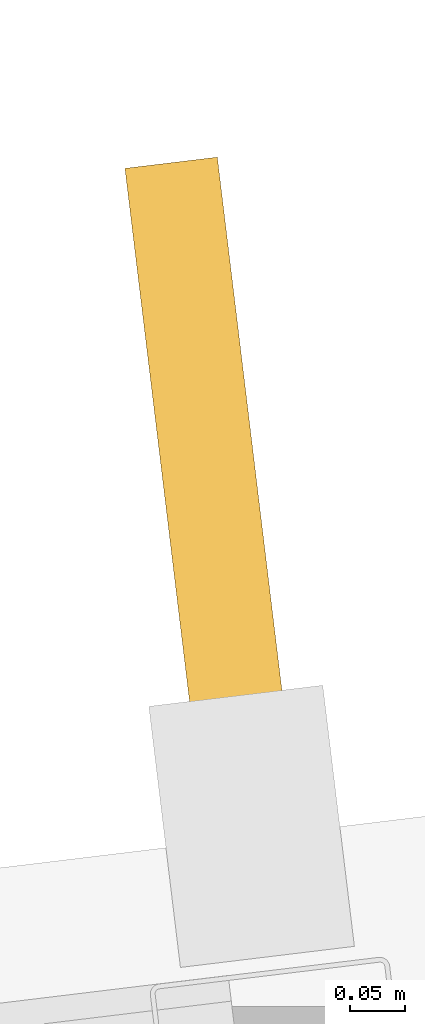
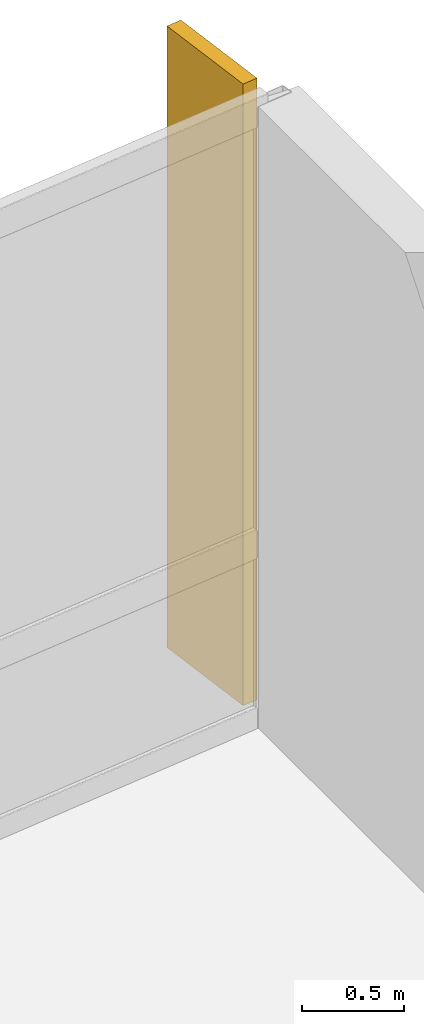
# One storey, part 17 of 17: 1 shading device.
"""IFC4 building model written with IfcOpenShell, lengths in metres."""

from ifc_helpers import new_model, si_unit, direction, frame, origin, origin_2d, place, context, subcontext, project, spatial, rectangle, extrude, material, layer, layer_set, type_object, element, save


model = new_model("IFC4")

# Units and contexts
model_context = context("Model", 3, precision=1e-05, world=origin(), true_north=direction((0.0, 1.0)))
body_context = subcontext(model_context, "Body", "Model", "MODEL_VIEW")
ifc_project = project(units=[si_unit("LENGTHUNIT", "METRE"), si_unit("AREAUNIT", "SQUARE_METRE"), si_unit("VOLUMEUNIT", "CUBIC_METRE"), si_unit("PLANEANGLEUNIT", "RADIAN"), si_unit("MASSUNIT", "GRAM", prefix="KILO")], contexts=[model_context])

# Site, building, storey
site_placement = place(None, origin())
site = spatial("IfcSite", under=ifc_project, at=site_placement, CompositionType="ELEMENT")
building_placement = place(site_placement, origin())
building = spatial("IfcBuilding", under=site, at=building_placement, Name="Varnakote Quay Hospital", CompositionType="ELEMENT")
storey_placement = place(building_placement, frame((0.0, 0.0, 103.35009765625)))
storey = spatial("IfcBuildingStorey", under=building, at=storey_placement, Name="L25", CompositionType="ELEMENT", Elevation=103.35009765625)

# Shading device
ifc_material = material(Name="Anodised aluminium 6063-T6 Bronze", Category="aluminium")
ifc_layer = layer(ifc_material, 0.0849609375)
ifc_layer_set = layer_set([ifc_layer], Name="Anodised aluminium 6063-T6 Bronze")
shading_device_type = type_object("IfcShadingDeviceType", Name="SHD-BRONZE-FIN-620", PredefinedType="USERDEFINED", material=ifc_layer_set)
shading_device_placement = place(storey_placement, frame((53.9462890625, 33.381591796875, 0.0), z_axis=(0.0, 0.0, 1.0), x_axis=(0.120310105847, -0.992736358975, 0.0)))
element("IfcShadingDevice", 1, at=shading_device_placement, inside=storey, type_object=shading_device_type, Name="L25 Anodised Bronze Vertical Shading FIN", ObjectType="FIN", PredefinedType="USERDEFINED", context=body_context, shape_type="SweptSolid", body=[
    extrude(rectangle(XDim=0.6201171875, YDim=0.0849609375, at=origin_2d()), origin(), (0.0, 0.0, 1.0), 3.7099609375),
])

save(model, "model.ifc")
